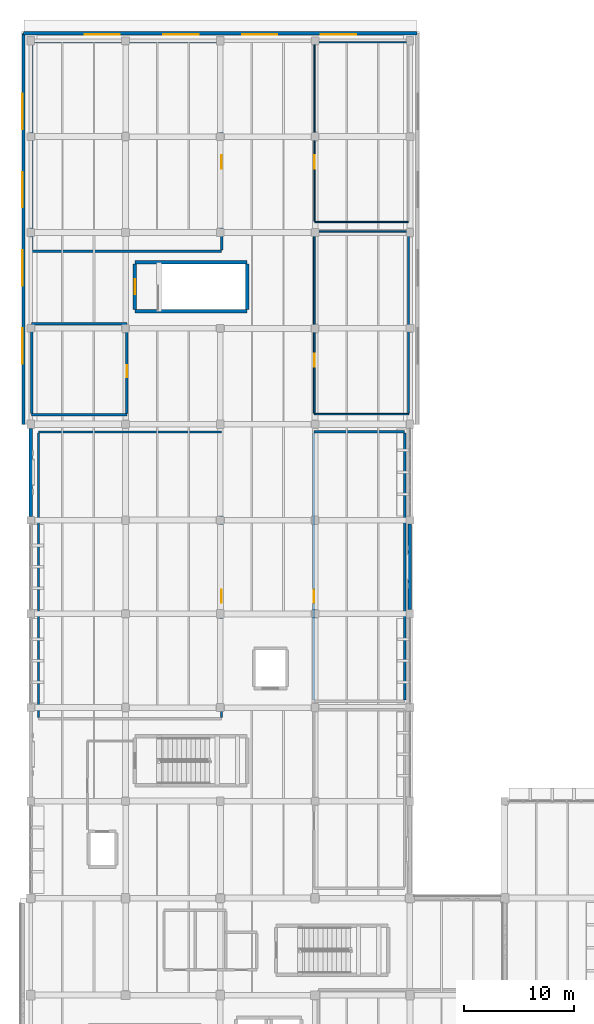
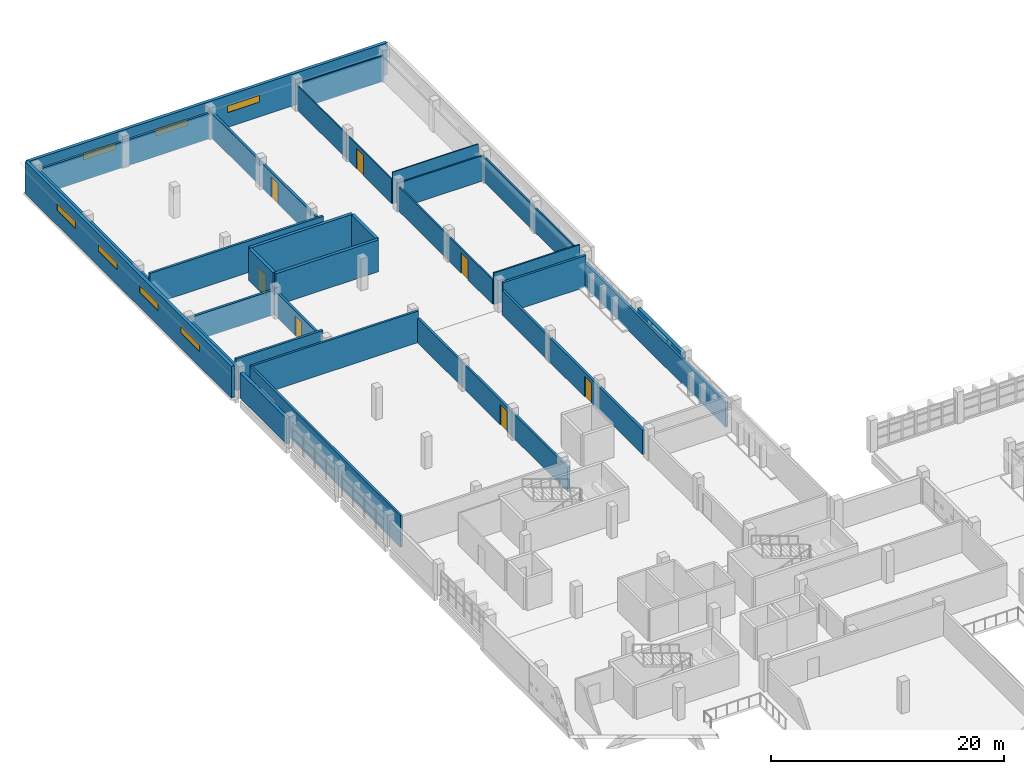
# One storey, part 62 of 75: 29 walls, 8 windows, 7 doors, 15 openings.
"""IFC4 building model written with IfcOpenShell, lengths in metres."""

from ifc_helpers import new_model, si_unit, direction, frame, frame_2d, origin, place, context, subcontext, project, spatial, rectangle, extrude, material, layer, layer_set, type_object, element, fill, save


model = new_model("IFC4")

# Units and contexts
model_context = context("Model", 3, precision=1e-05, world=origin(), true_north=direction((0.0, 1.0)))
body_context = subcontext(model_context, "Body", "Model", "MODEL_VIEW")
ifc_project = project(units=[si_unit("LENGTHUNIT", "METRE"), si_unit("AREAUNIT", "SQUARE_METRE"), si_unit("VOLUMEUNIT", "CUBIC_METRE"), si_unit("PLANEANGLEUNIT", "RADIAN"), si_unit("MASSUNIT", "GRAM", prefix="KILO")], contexts=[model_context])

# Site, building, storey
site_placement = place(None, origin())
site = spatial("IfcSite", under=ifc_project, at=site_placement, CompositionType="ELEMENT")
building_placement = place(site_placement, origin())
building = spatial("IfcBuilding", under=site, at=building_placement, Name="Varnakota Cinema and Media Centre", CompositionType="ELEMENT")
storey_placement = place(building_placement, frame((0.0, 0.0, 8.39990234375)))
storey = spatial("IfcBuildingStorey", under=building, at=storey_placement, Name="L02", CompositionType="ELEMENT", Elevation=8.39990234375)

# Walls
ifc_material_1 = material(Name="Autoclaved aerated concrete blockwork", Category="masonry")
ifc_layer_1 = layer(ifc_material_1, 0.2099609375)
ifc_layer_set_1 = layer_set([ifc_layer_1], Name="Autoclaved aerated concrete blockwork")
wall_type_1 = type_object("IfcWallType", Name="W-ACOUST-210", PredefinedType="PARTITIONING", material=ifc_layer_set_1)
wall_1_placement = place(storey_placement, frame((0.695068359375, 51.60009765625, 0.0), z_axis=(0.0, 0.0, 1.0), x_axis=(0.0, 1.0, 0.0)))
element("IfcWall", 1, at=wall_1_placement, inside=storey, type_object=wall_type_1, Name="L02 RWALL-RM-L02-RADIO W wall", PredefinedType="PARTITIONING", context=body_context, shape_type="SweptSolid", body=[
    extrude(rectangle(XDim=25.7998046875, YDim=0.2099609375, at=frame_2d((12.89990234375, 0.0))), origin(), (0.0, 0.0, 1.0), 3.320068359375),
])
wall_2_placement = place(storey_placement, frame((0.695068359375, 77.5048828125, 0.0), z_axis=(0.0, 0.0, 1.0), x_axis=(1.0, 0.0, 0.0)))
element("IfcWall", 2, at=wall_2_placement, inside=storey, type_object=wall_type_1, Name="L02 RWALL-RM-L02-RADIO N wall", PredefinedType="PARTITIONING", context=body_context, shape_type="SweptSolid", body=[
    extrude(rectangle(XDim=16.60986328125, YDim=0.2099609375, at=frame_2d((8.304931640625, 0.0))), origin(), (0.0, 0.0, 1.0), 3.320068359375),
])

# Wall, opening, door
wall_3_placement = place(storey_placement, frame((17.304931640625, 77.39990234375, 0.0), z_axis=(0.0, 0.0, 1.0), x_axis=(0.0, -1.0, 0.0)))
wall_3 = element("IfcWall", 3, at=wall_3_placement, inside=storey, type_object=wall_type_1, Name="L02 RWALL-RM-L02-RADIO E wall", PredefinedType="PARTITIONING", context=body_context, shape_type="SweptSolid", body=[
    extrude(rectangle(XDim=25.7998046875, YDim=0.2099609375, at=frame_2d((12.89990234375, 0.0))), origin(), (0.0, 0.0, 1.0), 2.570068359375),
])
opening_1_placement = place(wall_3_placement, frame((14.199951171875, 0.0, 0.0)))
opening_1 = element("IfcOpeningElement", 4, at=opening_1_placement, cuts=wall_3, Name="Opening D-083", PredefinedType="OPENING", context=body_context, shape_type="SweptSolid", body=[
    extrude(rectangle(XDim=1.199951171875, YDim=2.14990234375, at=frame_2d((0.60009765625, 1.074951171875))), frame((0.0, 0.10498046875, 0.0), z_axis=(0.0, -1.0, 0.0), x_axis=(1.0, 0.0, 0.0)), (0.0, 0.0, 1.0), 0.2099609375),
])
ifc_material_2 = material(Name="Thermally broken anodised aluminium AW-6063", Category="aluminium")
door_type_1 = type_object("IfcDoorType", Name="DR-STD-1200x2150", OperationType="NOTDEFINED", PredefinedType="DOOR", material=ifc_material_2)
door_1_placement = place(opening_1_placement, origin())
door_1 = element("IfcDoor", 5, at=door_1_placement, inside=storey, type_object=door_type_1, Name="L02 door D-083", OperationType="SINGLE_SWING_LEFT", OverallHeight=2.14990234375, OverallWidth=1.199951171875, PredefinedType="DOOR", context=body_context, shape_type="SweptSolid", body=[
    extrude(rectangle(XDim=1.199951171875, YDim=2.14990234375, at=frame_2d((0.60009765625, 1.074951171875))), frame((0.0, 0.02490234375, 0.0), z_axis=(0.0, -1.0, 0.0), x_axis=(1.0, 0.0, 0.0)), (0.0, 0.0, 1.0), 0.050048828125),
])
fill(opening_1, door_1)

ifc_material_3 = material(Name="Autoclaved aerated concrete blockwork", Category="masonry")
ifc_layer_2 = layer(ifc_material_3, 0.22998046875)
ifc_layer_set_2 = layer_set([ifc_layer_2], Name="Autoclaved aerated concrete blockwork")
wall_type_2 = type_object("IfcWallType", Name="W-BOX-230", PredefinedType="PARTITIONING", material=ifc_layer_set_2)
wall_4_placement = place(storey_placement, frame((25.68505859375, 53.199951171875, 0.0), z_axis=(0.0, 0.0, 1.0), x_axis=(0.0, 1.0, 0.0)))
wall_4 = element("IfcWall", 6, at=wall_4_placement, inside=storey, type_object=wall_type_2, Name="L02 RWALL-RM-L02-POD2 W wall", PredefinedType="PARTITIONING", context=body_context, shape_type="SweptSolid", body=[
    extrude(rectangle(XDim=24.199951171875, YDim=0.22998046875, at=frame_2d((12.10009765625, 0.0))), origin(), (0.0, 0.0, 1.0), 2.570068359375),
])
opening_2_placement = place(wall_4_placement, frame((8.800048828125, 0.0, 0.0)))
opening_2 = element("IfcOpeningElement", 7, at=opening_2_placement, cuts=wall_4, Name="Opening D-084", PredefinedType="OPENING", context=body_context, shape_type="SweptSolid", body=[
    extrude(rectangle(XDim=1.199951171875, YDim=2.14990234375, at=frame_2d((0.60009765625, 1.074951171875))), frame((0.0, 0.114990234375, 0.0), z_axis=(0.0, -1.0, 0.0), x_axis=(1.0, 0.0, 0.0)), (0.0, 0.0, 1.0), 0.22998046875),
])
door_2_placement = place(opening_2_placement, origin())
door_2 = element("IfcDoor", 8, at=door_2_placement, inside=storey, type_object=door_type_1, Name="L02 door D-084", OperationType="SINGLE_SWING_RIGHT", OverallHeight=2.14990234375, OverallWidth=1.199951171875, PredefinedType="DOOR", context=body_context, shape_type="SweptSolid", body=[
    extrude(rectangle(XDim=1.199951171875, YDim=2.14990234375, at=frame_2d((0.60009765625, 1.074951171875))), frame((0.0, 0.02490234375, 0.0), z_axis=(0.0, -1.0, 0.0), x_axis=(1.0, 0.0, 0.0)), (0.0, 0.0, 1.0), 0.050048828125),
])
fill(opening_2, door_2)

# Walls
wall_5_placement = place(storey_placement, frame((25.68505859375, 77.514892578125, 0.0), z_axis=(0.0, 0.0, 1.0), x_axis=(1.0, 0.0, 0.0)))
element("IfcWall", 9, at=wall_5_placement, inside=storey, type_object=wall_type_2, Name="L02 RWALL-RM-L02-POD2 N wall", PredefinedType="PARTITIONING", context=body_context, shape_type="SweptSolid", body=[
    extrude(rectangle(XDim=8.22998046875, YDim=0.22998046875, at=frame_2d((4.114990234375, 0.0))), origin(), (0.0, 0.0, 1.0), 3.320068359375),
])
wall_6_placement = place(storey_placement, frame((33.9150390625, 77.39990234375, 0.0), z_axis=(0.0, 0.0, 1.0), x_axis=(0.0, -1.0, 0.0)))
element("IfcWall", 10, at=wall_6_placement, inside=storey, type_object=wall_type_2, Name="L02 RWALL-RM-L02-POD2 E wall", PredefinedType="PARTITIONING", context=body_context, shape_type="SweptSolid", body=[
    extrude(rectangle(XDim=24.199951171875, YDim=0.22998046875, at=frame_2d((12.10009765625, 0.0))), origin(), (0.0, 0.0, 1.0), 2.570068359375),
])
wall_7_placement = place(storey_placement, frame((17.31494140625, 93.885009765625, 0.0), z_axis=(0.0, 0.0, 1.0), x_axis=(-1.0, 0.0, 0.0)))
element("IfcWall", 11, at=wall_7_placement, inside=storey, type_object=wall_type_2, Name="L02 RWALL-RM-L02-VFX S wall", PredefinedType="PARTITIONING", context=body_context, shape_type="SweptSolid", body=[
    extrude(rectangle(XDim=17.22998046875, YDim=0.22998046875, at=frame_2d((8.614990234375, 0.0))), origin(), (0.0, 0.0, 1.0), 3.320068359375),
])
wall_8_placement = place(storey_placement, frame((0.0849609375, 94.0, 0.0), z_axis=(0.0, 0.0, 1.0), x_axis=(0.0, 1.0, 0.0)))
element("IfcWall", 12, at=wall_8_placement, inside=storey, type_object=wall_type_2, Name="L02 RWALL-RM-L02-VFX W wall", PredefinedType="PARTITIONING", context=body_context, shape_type="SweptSolid", body=[
    extrude(rectangle(XDim=18.800048828125, YDim=0.22998046875, at=frame_2d((9.39990234375, 0.0))), origin(), (0.0, 0.0, 1.0), 2.670166015625),
])
wall_9_placement = place(storey_placement, frame((0.0849609375, 112.9150390625, 0.0), z_axis=(0.0, 0.0, 1.0), x_axis=(1.0, 0.0, 0.0)))
element("IfcWall", 13, at=wall_9_placement, inside=storey, type_object=wall_type_2, Name="L02 RWALL-RM-L02-VFX N wall", PredefinedType="PARTITIONING", context=body_context, shape_type="SweptSolid", body=[
    extrude(rectangle(XDim=17.22998046875, YDim=0.22998046875, at=frame_2d((8.614990234375, 0.0))), origin(), (0.0, 0.0, 1.0), 2.72021484375),
])

# Wall, opening, door
wall_10_placement = place(storey_placement, frame((17.31494140625, 112.800048828125, 0.0), z_axis=(0.0, 0.0, 1.0), x_axis=(0.0, -1.0, 0.0)))
wall_10 = element("IfcWall", 14, at=wall_10_placement, inside=storey, type_object=wall_type_2, Name="L02 RWALL-RM-L02-VFX E wall", PredefinedType="PARTITIONING", context=body_context, shape_type="SweptSolid", body=[
    extrude(rectangle(XDim=18.800048828125, YDim=0.22998046875, at=frame_2d((9.39990234375, 0.0))), origin(), (0.0, 0.0, 1.0), 2.6201171875),
])
opening_3_placement = place(wall_10_placement, frame((10.199951171875, 0.0, 0.0)))
opening_3 = element("IfcOpeningElement", 15, at=opening_3_placement, cuts=wall_10, Name="Opening D-086", PredefinedType="OPENING", context=body_context, shape_type="SweptSolid", body=[
    extrude(rectangle(XDim=1.199951171875, YDim=2.14990234375, at=frame_2d((0.60009765625, 1.074951171875))), frame((0.0, 0.114990234375, 0.0), z_axis=(0.0, -1.0, 0.0), x_axis=(1.0, 0.0, 0.0)), (0.0, 0.0, 1.0), 0.22998046875),
])
door_3_placement = place(opening_3_placement, origin())
door_3 = element("IfcDoor", 16, at=door_3_placement, inside=storey, type_object=door_type_1, Name="L02 door D-086", OperationType="SINGLE_SWING_RIGHT", OverallHeight=2.14990234375, OverallWidth=1.199951171875, PredefinedType="DOOR", context=body_context, shape_type="SweptSolid", body=[
    extrude(rectangle(XDim=1.199951171875, YDim=2.14990234375, at=frame_2d((0.60009765625, 1.074951171875))), frame((0.0, 0.02490234375, 0.0), z_axis=(0.0, -1.0, 0.0), x_axis=(1.0, 0.0, 0.0)), (0.0, 0.0, 1.0), 0.050048828125),
])
fill(opening_3, door_3)

# Walls
wall_11_placement = place(storey_placement, frame((8.715087890625, 79.0849609375, 0.0), z_axis=(0.0, 0.0, 1.0), x_axis=(-1.0, 0.0, 0.0)))
element("IfcWall", 17, at=wall_11_placement, inside=storey, type_object=wall_type_2, Name="L02 RWALL-RM-L02-ATMOS S wall", PredefinedType="PARTITIONING", context=body_context, shape_type="SweptSolid", body=[
    extrude(rectangle(XDim=8.630126953125, YDim=0.22998046875, at=frame_2d((4.31494140625, 0.0))), origin(), (0.0, 0.0, 1.0), 3.320068359375),
])
wall_12_placement = place(storey_placement, frame((0.0849609375, 79.199951171875, 0.0), z_axis=(0.0, 0.0, 1.0), x_axis=(0.0, 1.0, 0.0)))
element("IfcWall", 18, at=wall_12_placement, inside=storey, type_object=wall_type_2, Name="L02 RWALL-RM-L02-ATMOS W wall", PredefinedType="PARTITIONING", context=body_context, shape_type="SweptSolid", body=[
    extrude(rectangle(XDim=8.0, YDim=0.22998046875, at=frame_2d((4.0, 0.0))), origin(), (0.0, 0.0, 1.0), 2.670166015625),
])
wall_13_placement = place(storey_placement, frame((0.0849609375, 87.31494140625, 0.0), z_axis=(0.0, 0.0, 1.0), x_axis=(1.0, 0.0, 0.0)))
element("IfcWall", 19, at=wall_13_placement, inside=storey, type_object=wall_type_2, Name="L02 RWALL-RM-L02-ATMOS N wall", PredefinedType="PARTITIONING", context=body_context, shape_type="SweptSolid", body=[
    extrude(rectangle(XDim=8.630126953125, YDim=0.22998046875, at=frame_2d((4.31494140625, 0.0))), origin(), (0.0, 0.0, 1.0), 2.6201171875),
])

# Wall, opening, door
wall_14_placement = place(storey_placement, frame((8.715087890625, 87.199951171875, 0.0), z_axis=(0.0, 0.0, 1.0), x_axis=(0.0, -1.0, 0.0)))
wall_14 = element("IfcWall", 20, at=wall_14_placement, inside=storey, type_object=wall_type_2, Name="L02 RWALL-RM-L02-ATMOS E wall", PredefinedType="PARTITIONING", context=body_context, shape_type="SweptSolid", body=[
    extrude(rectangle(XDim=8.0, YDim=0.22998046875, at=frame_2d((4.0, 0.0))), origin(), (0.0, 0.0, 1.0), 2.6201171875),
])
opening_4_placement = place(wall_14_placement, frame((3.64990234375, 0.0, 0.0)))
opening_4 = element("IfcOpeningElement", 21, at=opening_4_placement, cuts=wall_14, Name="Opening D-088", PredefinedType="OPENING", context=body_context, shape_type="SweptSolid", body=[
    extrude(rectangle(XDim=1.10009765625, YDim=2.10009765625, at=frame_2d((0.550048828125, 1.050048828125))), frame((0.0, 0.114990234375, 0.0), z_axis=(0.0, -1.0, 0.0), x_axis=(1.0, 0.0, 0.0)), (0.0, 0.0, 1.0), 0.22998046875),
])
ifc_material_4 = material(Name="Thermally broken anodised aluminium AW-6063", Category="aluminium")
door_type_2 = type_object("IfcDoorType", Name="DR-STD-1100x2100", OperationType="NOTDEFINED", PredefinedType="DOOR", material=ifc_material_4)
door_4_placement = place(opening_4_placement, origin())
door_4 = element("IfcDoor", 22, at=door_4_placement, inside=storey, type_object=door_type_2, Name="L02 door D-088", OperationType="SINGLE_SWING_RIGHT", OverallHeight=2.10009765625, OverallWidth=1.10009765625, PredefinedType="DOOR", context=body_context, shape_type="SweptSolid", body=[
    extrude(rectangle(XDim=1.10009765625, YDim=2.10009765625, at=frame_2d((0.550048828125, 1.050048828125))), frame((0.0, 0.02490234375, 0.0), z_axis=(0.0, -1.0, 0.0), x_axis=(1.0, 0.0, 0.0)), (0.0, 0.0, 1.0), 0.050048828125),
])
fill(opening_4, door_4)

# Wall
ifc_material_5 = material(Name="Concrete M40", Category="concrete")
ifc_layer_3 = layer(ifc_material_5, 0.300048828125)
ifc_layer_set_3 = layer_set([ifc_layer_3], Name="Concrete M40")
wall_type_3 = type_object("IfcWallType", Name="W-CORE-300", PredefinedType="SHEAR", material=ifc_layer_set_3)
wall_15_placement = place(storey_placement, frame((19.6298828125, 88.449951171875, 0.0), z_axis=(0.0, 0.0, 1.0), x_axis=(-1.0, 0.0, 0.0)))
element("IfcWall", 23, at=wall_15_placement, inside=storey, type_object=wall_type_3, Name="L02 CWALL-ST-05-L02 S wall", PredefinedType="SHEAR", context=body_context, shape_type="SweptSolid", body=[
    extrude(rectangle(XDim=10.179931640625, YDim=0.300048828125, at=frame_2d((5.08984375, 0.0))), origin(), (0.0, 0.0, 1.0), 3.340087890625),
])

# Wall, opening, door
wall_16_placement = place(storey_placement, frame((9.449951171875, 88.60009765625, 0.0), z_axis=(0.0, 0.0, 1.0), x_axis=(0.0, 1.0, 0.0)))
wall_16 = element("IfcWall", 24, at=wall_16_placement, inside=storey, type_object=wall_type_3, Name="L02 CWALL-ST-05-L02 W wall", PredefinedType="SHEAR", context=body_context, shape_type="SweptSolid", body=[
    extrude(rectangle(XDim=4.14990234375, YDim=0.300048828125, at=frame_2d((2.074951171875, 0.0))), origin(), (0.0, 0.0, 1.0), 3.340087890625),
])
opening_5_placement = place(wall_16_placement, frame((1.39990234375, 0.0, 0.0)))
opening_5 = element("IfcOpeningElement", 25, at=opening_5_placement, cuts=wall_16, Name="Opening SD-05", PredefinedType="OPENING", context=body_context, shape_type="SweptSolid", body=[
    extrude(rectangle(XDim=1.35009765625, YDim=2.199951171875, at=frame_2d((0.675048828125, 1.10009765625))), frame((0.0, 0.14990234375, 0.0), z_axis=(0.0, -1.0, 0.0), x_axis=(1.0, 0.0, 0.0)), (0.0, 0.0, 1.0), 0.300048828125),
])
ifc_material_6 = material(Name="Thermally broken anodised aluminium AW-6063", Category="aluminium")
door_type_3 = type_object("IfcDoorType", Name="DR-STAIR-1350x2200", OperationType="NOTDEFINED", PredefinedType="DOOR", material=ifc_material_6)
door_5_placement = place(opening_5_placement, origin())
door_5 = element("IfcDoor", 26, at=door_5_placement, inside=storey, type_object=door_type_3, Name="L02 door SD-05", OperationType="SINGLE_SWING_LEFT", OverallHeight=2.199951171875, OverallWidth=1.35009765625, PredefinedType="DOOR", context=body_context, shape_type="SweptSolid", body=[
    extrude(rectangle(XDim=1.35009765625, YDim=2.199951171875, at=frame_2d((0.675048828125, 1.10009765625))), frame((0.0, 0.02490234375, 0.0), z_axis=(0.0, -1.0, 0.0), x_axis=(1.0, 0.0, 0.0)), (0.0, 0.0, 1.0), 0.050048828125),
])
fill(opening_5, door_5)

# Walls
wall_17_placement = place(storey_placement, frame((9.449951171875, 92.89990234375, 0.0), z_axis=(0.0, 0.0, 1.0), x_axis=(1.0, 0.0, 0.0)))
element("IfcWall", 27, at=wall_17_placement, inside=storey, type_object=wall_type_3, Name="L02 CWALL-ST-05-L02 N wall", PredefinedType="SHEAR", context=body_context, shape_type="SweptSolid", body=[
    extrude(rectangle(XDim=10.179931640625, YDim=0.300048828125, at=frame_2d((5.08984375, 0.0))), origin(), (0.0, 0.0, 1.0), 3.340087890625),
])
wall_18_placement = place(storey_placement, frame((19.6298828125, 92.75, 0.0), z_axis=(0.0, 0.0, 1.0), x_axis=(0.0, -1.0, 0.0)))
element("IfcWall", 28, at=wall_18_placement, inside=storey, type_object=wall_type_3, Name="L02 CWALL-ST-05-L02 E wall", PredefinedType="SHEAR", context=body_context, shape_type="SweptSolid", body=[
    extrude(rectangle(XDim=4.14990234375, YDim=0.300048828125, at=frame_2d((2.074951171875, 0.0))), origin(), (0.0, 0.0, 1.0), 3.340087890625),
])

# Wall, openings, windows
ifc_material_7 = material(Name="Concrete M40", Category="concrete")
ifc_layer_4 = layer(ifc_material_7, 0.31005859375)
ifc_layer_set_4 = layer_set([ifc_layer_4], Name="Concrete M40")
wall_type_4 = type_object("IfcWallType", Name="W-EXT-CONC-310", PredefinedType="SOLIDWALL", material=ifc_layer_set_4)
wall_19_placement = place(storey_placement, frame((-0.659912109375, 113.659912109375, 0.0), z_axis=(0.0, 0.0, 1.0), x_axis=(1.0, 0.0, 0.0)))
wall_19 = element("IfcWall", 29, at=wall_19_placement, inside=storey, type_object=wall_type_4, Name="L02 V7 plain board-marked concrete wall V7-N", PredefinedType="SOLIDWALL", context=body_context, shape_type="SweptSolid", body=[
    extrude(rectangle(XDim=35.719970703125, YDim=0.31005859375, at=frame_2d((17.85986328125, 0.0))), origin(), (0.0, 0.0, 1.0), 3.340087890625),
])
opening_6_placement = place(wall_19_placement, frame((5.5439453125, 0.0, 1.550048828125)))
opening_6 = element("IfcOpeningElement", 30, at=opening_6_placement, cuts=wall_19, Name="Opening WR01", PredefinedType="OPENING", context=body_context, shape_type="SweptSolid", body=[
    extrude(rectangle(XDim=3.199951171875, YDim=0.699951171875, at=frame_2d((1.60009765625, 0.35009765625))), frame((0.0, 0.155029296875, 0.0), z_axis=(0.0, -1.0, 0.0), x_axis=(1.0, 0.0, 0.0)), (0.0, 0.0, 1.0), 0.31005859375),
])
opening_7_placement = place(wall_19_placement, frame((12.68798828125, 0.0, 1.550048828125)))
opening_7 = element("IfcOpeningElement", 31, at=opening_7_placement, cuts=wall_19, Name="Opening WR01", PredefinedType="OPENING", context=body_context, shape_type="SweptSolid", body=[
    extrude(rectangle(XDim=3.199951171875, YDim=0.699951171875, at=frame_2d((1.60009765625, 0.35009765625))), frame((0.0, 0.155029296875, 0.0), z_axis=(0.0, -1.0, 0.0), x_axis=(1.0, 0.0, 0.0)), (0.0, 0.0, 1.0), 0.31005859375),
])
opening_8_placement = place(wall_19_placement, frame((19.83203125, 0.0, 1.550048828125)))
opening_8 = element("IfcOpeningElement", 32, at=opening_8_placement, cuts=wall_19, Name="Opening WR01", PredefinedType="OPENING", context=body_context, shape_type="SweptSolid", body=[
    extrude(rectangle(XDim=3.199951171875, YDim=0.699951171875, at=frame_2d((1.60009765625, 0.35009765625))), frame((0.0, 0.155029296875, 0.0), z_axis=(0.0, -1.0, 0.0), x_axis=(1.0, 0.0, 0.0)), (0.0, 0.0, 1.0), 0.31005859375),
])
opening_9_placement = place(wall_19_placement, frame((26.97607421875, 0.0, 1.550048828125)))
opening_9 = element("IfcOpeningElement", 33, at=opening_9_placement, cuts=wall_19, Name="Opening WR01", PredefinedType="OPENING", context=body_context, shape_type="SweptSolid", body=[
    extrude(rectangle(XDim=3.199951171875, YDim=0.699951171875, at=frame_2d((1.60009765625, 0.35009765625))), frame((0.0, 0.155029296875, 0.0), z_axis=(0.0, -1.0, 0.0), x_axis=(1.0, 0.0, 0.0)), (0.0, 0.0, 1.0), 0.31005859375),
])
ifc_material_8 = material(Name="Laminated solar-control double glazing", Category="glass")
window_type = type_object("IfcWindowType", Name="WIN-SLOT-320x070", PartitioningType="SINGLE_PANEL", PredefinedType="WINDOW", material=ifc_material_8)
window_1_placement = place(opening_6_placement, origin())
window_1 = element("IfcWindow", 34, at=window_1_placement, inside=storey, type_object=window_type, Name="L02 window WR01", OverallHeight=0.699951171875, OverallWidth=3.199951171875, PartitioningType="SINGLE_PANEL", PredefinedType="WINDOW", context=body_context, shape_type="SweptSolid", body=[
    extrude(rectangle(XDim=3.199951171875, YDim=0.699951171875, at=frame_2d((1.60009765625, 0.35009765625))), frame((0.0, -0.06005859375, 0.0), z_axis=(0.0, -1.0, 0.0), x_axis=(1.0, 0.0, 0.0)), (0.0, 0.0, 1.0), 0.06005859375),
])
fill(opening_6, window_1)
window_2_placement = place(opening_7_placement, origin())
window_2 = element("IfcWindow", 35, at=window_2_placement, inside=storey, type_object=window_type, Name="L02 window WR01", OverallHeight=0.699951171875, OverallWidth=3.199951171875, PartitioningType="SINGLE_PANEL", PredefinedType="WINDOW", context=body_context, shape_type="SweptSolid", body=[
    extrude(rectangle(XDim=3.199951171875, YDim=0.699951171875, at=frame_2d((1.60009765625, 0.35009765625))), frame((0.0, -0.06005859375, 0.0), z_axis=(0.0, -1.0, 0.0), x_axis=(1.0, 0.0, 0.0)), (0.0, 0.0, 1.0), 0.06005859375),
])
fill(opening_7, window_2)
window_3_placement = place(opening_8_placement, origin())
window_3 = element("IfcWindow", 36, at=window_3_placement, inside=storey, type_object=window_type, Name="L02 window WR01", OverallHeight=0.699951171875, OverallWidth=3.199951171875, PartitioningType="SINGLE_PANEL", PredefinedType="WINDOW", context=body_context, shape_type="SweptSolid", body=[
    extrude(rectangle(XDim=3.199951171875, YDim=0.699951171875, at=frame_2d((1.60009765625, 0.35009765625))), frame((0.0, -0.06005859375, 0.0), z_axis=(0.0, -1.0, 0.0), x_axis=(1.0, 0.0, 0.0)), (0.0, 0.0, 1.0), 0.06005859375),
])
fill(opening_8, window_3)
window_4_placement = place(opening_9_placement, origin())
window_4 = element("IfcWindow", 37, at=window_4_placement, inside=storey, type_object=window_type, Name="L02 window WR01", OverallHeight=0.699951171875, OverallWidth=3.199951171875, PartitioningType="SINGLE_PANEL", PredefinedType="WINDOW", context=body_context, shape_type="SweptSolid", body=[
    extrude(rectangle(XDim=3.199951171875, YDim=0.699951171875, at=frame_2d((1.60009765625, 0.35009765625))), frame((0.0, -0.06005859375, 0.0), z_axis=(0.0, -1.0, 0.0), x_axis=(1.0, 0.0, 0.0)), (0.0, 0.0, 1.0), 0.06005859375),
])
fill(opening_9, window_4)

wall_20_placement = place(storey_placement, frame((-0.659912109375, 113.659912109375, 0.0), z_axis=(0.0, 0.0, 1.0), x_axis=(0.0, -1.0, 0.0)))
wall_20 = element("IfcWall", 38, at=wall_20_placement, inside=storey, type_object=wall_type_4, Name="L02 V7 plain board-marked concrete wall V7-W", PredefinedType="SOLIDWALL", context=body_context, shape_type="SweptSolid", body=[
    extrude(rectangle(XDim=35.4599609375, YDim=0.31005859375, at=frame_2d((17.72998046875, 0.0))), origin(), (0.0, 0.0, 1.0), 3.340087890625),
])
opening_10_placement = place(wall_20_placement, frame((5.491943359375, 0.0, 1.550048828125)))
opening_10 = element("IfcOpeningElement", 39, at=opening_10_placement, cuts=wall_20, Name="Opening WR01", PredefinedType="OPENING", context=body_context, shape_type="SweptSolid", body=[
    extrude(rectangle(XDim=3.199951171875, YDim=0.699951171875, at=frame_2d((1.60009765625, 0.35009765625))), frame((0.0, 0.155029296875, 0.0), z_axis=(0.0, -1.0, 0.0), x_axis=(1.0, 0.0, 0.0)), (0.0, 0.0, 1.0), 0.31005859375),
])
opening_11_placement = place(wall_20_placement, frame((12.583984375, 0.0, 1.550048828125)))
opening_11 = element("IfcOpeningElement", 40, at=opening_11_placement, cuts=wall_20, Name="Opening WR01", PredefinedType="OPENING", context=body_context, shape_type="SweptSolid", body=[
    extrude(rectangle(XDim=3.199951171875, YDim=0.699951171875, at=frame_2d((1.60009765625, 0.35009765625))), frame((0.0, 0.155029296875, 0.0), z_axis=(0.0, -1.0, 0.0), x_axis=(1.0, 0.0, 0.0)), (0.0, 0.0, 1.0), 0.31005859375),
])
opening_12_placement = place(wall_20_placement, frame((19.676025390625, 0.0, 1.550048828125)))
opening_12 = element("IfcOpeningElement", 41, at=opening_12_placement, cuts=wall_20, Name="Opening WR01", PredefinedType="OPENING", context=body_context, shape_type="SweptSolid", body=[
    extrude(rectangle(XDim=3.199951171875, YDim=0.699951171875, at=frame_2d((1.60009765625, 0.35009765625))), frame((0.0, 0.155029296875, 0.0), z_axis=(0.0, -1.0, 0.0), x_axis=(1.0, 0.0, 0.0)), (0.0, 0.0, 1.0), 0.31005859375),
])
opening_13_placement = place(wall_20_placement, frame((26.76806640625, 0.0, 1.550048828125)))
opening_13 = element("IfcOpeningElement", 42, at=opening_13_placement, cuts=wall_20, Name="Opening WR01", PredefinedType="OPENING", context=body_context, shape_type="SweptSolid", body=[
    extrude(rectangle(XDim=3.199951171875, YDim=0.699951171875, at=frame_2d((1.60009765625, 0.35009765625))), frame((0.0, 0.155029296875, 0.0), z_axis=(0.0, -1.0, 0.0), x_axis=(1.0, 0.0, 0.0)), (0.0, 0.0, 1.0), 0.31005859375),
])
window_5_placement = place(opening_10_placement, origin())
window_5 = element("IfcWindow", 43, at=window_5_placement, inside=storey, type_object=window_type, Name="L02 window WR01", OverallHeight=0.699951171875, OverallWidth=3.199951171875, PartitioningType="SINGLE_PANEL", PredefinedType="WINDOW", context=body_context, shape_type="SweptSolid", body=[
    extrude(rectangle(XDim=3.199951171875, YDim=0.699951171875, at=frame_2d((1.60009765625, 0.35009765625))), frame((0.0, -0.06005859375, 0.0), z_axis=(0.0, -1.0, 0.0), x_axis=(1.0, 0.0, 0.0)), (0.0, 0.0, 1.0), 0.06005859375),
])
fill(opening_10, window_5)
window_6_placement = place(opening_11_placement, origin())
window_6 = element("IfcWindow", 44, at=window_6_placement, inside=storey, type_object=window_type, Name="L02 window WR01", OverallHeight=0.699951171875, OverallWidth=3.199951171875, PartitioningType="SINGLE_PANEL", PredefinedType="WINDOW", context=body_context, shape_type="SweptSolid", body=[
    extrude(rectangle(XDim=3.199951171875, YDim=0.699951171875, at=frame_2d((1.60009765625, 0.35009765625))), frame((0.0, -0.06005859375, 0.0), z_axis=(0.0, -1.0, 0.0), x_axis=(1.0, 0.0, 0.0)), (0.0, 0.0, 1.0), 0.06005859375),
])
fill(opening_11, window_6)
window_7_placement = place(opening_12_placement, origin())
window_7 = element("IfcWindow", 45, at=window_7_placement, inside=storey, type_object=window_type, Name="L02 window WR01", OverallHeight=0.699951171875, OverallWidth=3.199951171875, PartitioningType="SINGLE_PANEL", PredefinedType="WINDOW", context=body_context, shape_type="SweptSolid", body=[
    extrude(rectangle(XDim=3.199951171875, YDim=0.699951171875, at=frame_2d((1.60009765625, 0.35009765625))), frame((0.0, -0.06005859375, 0.0), z_axis=(0.0, -1.0, 0.0), x_axis=(1.0, 0.0, 0.0)), (0.0, 0.0, 1.0), 0.06005859375),
])
fill(opening_12, window_7)
window_8_placement = place(opening_13_placement, origin())
window_8 = element("IfcWindow", 46, at=window_8_placement, inside=storey, type_object=window_type, Name="L02 window WR01", OverallHeight=0.699951171875, OverallWidth=3.199951171875, PartitioningType="SINGLE_PANEL", PredefinedType="WINDOW", context=body_context, shape_type="SweptSolid", body=[
    extrude(rectangle(XDim=3.199951171875, YDim=0.699951171875, at=frame_2d((1.60009765625, 0.35009765625))), frame((0.0, -0.06005859375, 0.0), z_axis=(0.0, -1.0, 0.0), x_axis=(1.0, 0.0, 0.0)), (0.0, 0.0, 1.0), 0.06005859375),
])
fill(opening_13, window_8)

# Walls
ifc_material_9 = material(Name="Deccan grey granite ashlar", Category="masonry")
ifc_layer_5 = layer(ifc_material_9, 0.320068359375)
ifc_layer_set_5 = layer_set([ifc_layer_5], Name="Deccan grey granite ashlar")
wall_type_5 = type_object("IfcWallType", Name="W-EXT-GRAN-320", PredefinedType="SOLIDWALL", material=ifc_layer_set_5)
wall_21_placement = place(storey_placement, frame((34.39990234375, 61.375, 0.0), z_axis=(0.0, 0.0, 1.0), x_axis=(0.0, 1.0, 0.0)))
element("IfcWall", 47, at=wall_21_placement, inside=storey, type_object=wall_type_5, Name="L02 exterior wall V5-E-4", PredefinedType="SOLIDWALL", context=body_context, shape_type="SweptSolid", body=[
    extrude(rectangle(XDim=7.77490234375, YDim=0.320068359375, at=frame_2d((3.887451171875, 0.0))), origin(), (0.0, 0.0, 1.0), 2.675048828125),
])
wall_22_placement = place(storey_placement, frame((0.0, 77.824951171875, 0.0), z_axis=(0.0, 0.0, 1.0), x_axis=(0.0, -1.0, 0.0)))
element("IfcWall", 48, at=wall_22_placement, inside=storey, type_object=wall_type_5, Name="L02 exterior wall V5-W-1", PredefinedType="SOLIDWALL", context=body_context, shape_type="SweptSolid", body=[
    extrude(rectangle(XDim=7.974853515625, YDim=0.320068359375, at=frame_2d((3.9873046875, 0.0))), origin(), (0.0, 0.0, 1.0), 2.675048828125),
])
ifc_material_10 = material(Name="Autoclaved aerated concrete blockwork", Category="masonry")
ifc_layer_6 = layer(ifc_material_10, 0.110107421875)
ifc_layer_set_6 = layer_set([ifc_layer_6], Name="Autoclaved aerated concrete blockwork")
wall_type_6 = type_object("IfcWallType", Name="W-PART-110", PredefinedType="PARTITIONING", material=ifc_layer_set_6)
wall_23_placement = place(storey_placement, frame((34.2548828125, 96.544921875, 0.0), z_axis=(0.0, 0.0, 1.0), x_axis=(-1.0, 0.0, 0.0)))
element("IfcWall", 49, at=wall_23_placement, inside=storey, type_object=wall_type_6, Name="L02 RWALL-RM-L02-DOCED S wall", PredefinedType="PARTITIONING", context=body_context, shape_type="SweptSolid", body=[
    extrude(rectangle(XDim=8.509765625, YDim=0.110107421875, at=frame_2d((4.2548828125, 0.0))), origin(), (0.0, 0.0, 1.0), 3.320068359375),
])

# Wall, opening, door
wall_24_placement = place(storey_placement, frame((25.7451171875, 96.60009765625, 0.0), z_axis=(0.0, 0.0, 1.0), x_axis=(0.0, 1.0, 0.0)))
wall_24 = element("IfcWall", 50, at=wall_24_placement, inside=storey, type_object=wall_type_6, Name="L02 RWALL-RM-L02-DOCED W wall", PredefinedType="PARTITIONING", context=body_context, shape_type="SweptSolid", body=[
    extrude(rectangle(XDim=16.199951171875, YDim=0.110107421875, at=frame_2d((8.10009765625, 0.0))), origin(), (0.0, 0.0, 1.0), 2.570068359375),
])
opening_14_placement = place(wall_24_placement, frame((4.800048828125, 0.0, 0.0)))
opening_14 = element("IfcOpeningElement", 51, at=opening_14_placement, cuts=wall_24, Name="Opening D-087", PredefinedType="OPENING", context=body_context, shape_type="SweptSolid", body=[
    extrude(rectangle(XDim=1.199951171875, YDim=2.14990234375, at=frame_2d((0.60009765625, 1.074951171875))), frame((0.0, 0.05517578125, 0.0), z_axis=(0.0, -1.0, 0.0), x_axis=(1.0, 0.0, 0.0)), (0.0, 0.0, 1.0), 0.110107421875),
])
door_6_placement = place(opening_14_placement, origin())
door_6 = element("IfcDoor", 52, at=door_6_placement, inside=storey, type_object=door_type_1, Name="L02 door D-087", OperationType="SINGLE_SWING_LEFT", OverallHeight=2.14990234375, OverallWidth=1.199951171875, PredefinedType="DOOR", context=body_context, shape_type="SweptSolid", body=[
    extrude(rectangle(XDim=1.199951171875, YDim=2.14990234375, at=frame_2d((0.60009765625, 1.074951171875))), frame((0.0, 0.02490234375, 0.0), z_axis=(0.0, -1.0, 0.0), x_axis=(1.0, 0.0, 0.0)), (0.0, 0.0, 1.0), 0.050048828125),
])
fill(opening_14, door_6)

# Walls
wall_25_placement = place(storey_placement, frame((25.7451171875, 112.85498046875, 0.0), z_axis=(0.0, 0.0, 1.0), x_axis=(1.0, 0.0, 0.0)))
element("IfcWall", 53, at=wall_25_placement, inside=storey, type_object=wall_type_6, Name="L02 RWALL-RM-L02-DOCED N wall", PredefinedType="PARTITIONING", context=body_context, shape_type="SweptSolid", body=[
    extrude(rectangle(XDim=8.509765625, YDim=0.110107421875, at=frame_2d((4.2548828125, 0.0))), origin(), (0.0, 0.0, 1.0), 2.72021484375),
])
ifc_material_11 = material(Name="Autoclaved aerated concrete blockwork", Category="masonry")
ifc_layer_7 = layer(ifc_material_11, 0.14990234375)
ifc_layer_set_7 = layer_set([ifc_layer_7], Name="Autoclaved aerated concrete blockwork")
wall_type_7 = type_object("IfcWallType", Name="W-PART-150", PredefinedType="PARTITIONING", material=ifc_layer_set_7)
wall_26_placement = place(storey_placement, frame((34.27490234375, 79.125, 0.0), z_axis=(0.0, 0.0, 1.0), x_axis=(-1.0, 0.0, 0.0)))
element("IfcWall", 54, at=wall_26_placement, inside=storey, type_object=wall_type_7, Name="L02 RWALL-RM-L02-RESTOR S wall", PredefinedType="PARTITIONING", context=body_context, shape_type="SweptSolid", body=[
    extrude(rectangle(XDim=8.5498046875, YDim=0.14990234375, at=frame_2d((4.27490234375, 0.0))), origin(), (0.0, 0.0, 1.0), 3.320068359375),
])

# Wall, opening, door
wall_27_placement = place(storey_placement, frame((25.72509765625, 79.199951171875, 0.0), z_axis=(0.0, 0.0, 1.0), x_axis=(0.0, 1.0, 0.0)))
wall_27 = element("IfcWall", 55, at=wall_27_placement, inside=storey, type_object=wall_type_7, Name="L02 RWALL-RM-L02-RESTOR W wall", PredefinedType="PARTITIONING", context=body_context, shape_type="SweptSolid", body=[
    extrude(rectangle(XDim=16.400146484375, YDim=0.14990234375, at=frame_2d((8.2001953125, 0.0))), origin(), (0.0, 0.0, 1.0), 2.570068359375),
])
opening_15_placement = place(wall_27_placement, frame((4.199951171875, 0.0, 0.0)))
opening_15 = element("IfcOpeningElement", 56, at=opening_15_placement, cuts=wall_27, Name="Opening D-085", PredefinedType="OPENING", context=body_context, shape_type="SweptSolid", body=[
    extrude(rectangle(XDim=1.199951171875, YDim=2.14990234375, at=frame_2d((0.60009765625, 1.074951171875))), frame((0.0, 0.074951171875, 0.0), z_axis=(0.0, -1.0, 0.0), x_axis=(1.0, 0.0, 0.0)), (0.0, 0.0, 1.0), 0.14990234375),
])
door_7_placement = place(opening_15_placement, origin())
door_7 = element("IfcDoor", 57, at=door_7_placement, inside=storey, type_object=door_type_1, Name="L02 door D-085", OperationType="SINGLE_SWING_LEFT", OverallHeight=2.14990234375, OverallWidth=1.199951171875, PredefinedType="DOOR", context=body_context, shape_type="SweptSolid", body=[
    extrude(rectangle(XDim=1.199951171875, YDim=2.14990234375, at=frame_2d((0.60009765625, 1.074951171875))), frame((0.0, 0.02490234375, 0.0), z_axis=(0.0, -1.0, 0.0), x_axis=(1.0, 0.0, 0.0)), (0.0, 0.0, 1.0), 0.050048828125),
])
fill(opening_15, door_7)

# Walls
wall_28_placement = place(storey_placement, frame((25.72509765625, 95.675048828125, 0.0), z_axis=(0.0, 0.0, 1.0), x_axis=(1.0, 0.0, 0.0)))
element("IfcWall", 58, at=wall_28_placement, inside=storey, type_object=wall_type_7, Name="L02 RWALL-RM-L02-RESTOR N wall", PredefinedType="PARTITIONING", context=body_context, shape_type="SweptSolid", body=[
    extrude(rectangle(XDim=8.5498046875, YDim=0.14990234375, at=frame_2d((4.27490234375, 0.0))), origin(), (0.0, 0.0, 1.0), 2.670166015625),
])
wall_29_placement = place(storey_placement, frame((34.27490234375, 95.60009765625, 0.0), z_axis=(0.0, 0.0, 1.0), x_axis=(0.0, -1.0, 0.0)))
element("IfcWall", 59, at=wall_29_placement, inside=storey, type_object=wall_type_7, Name="L02 RWALL-RM-L02-RESTOR E wall", PredefinedType="PARTITIONING", context=body_context, shape_type="SweptSolid", body=[
    extrude(rectangle(XDim=16.400146484375, YDim=0.14990234375, at=frame_2d((8.2001953125, 0.0))), origin(), (0.0, 0.0, 1.0), 2.6201171875),
])

save(model, "model.ifc")
